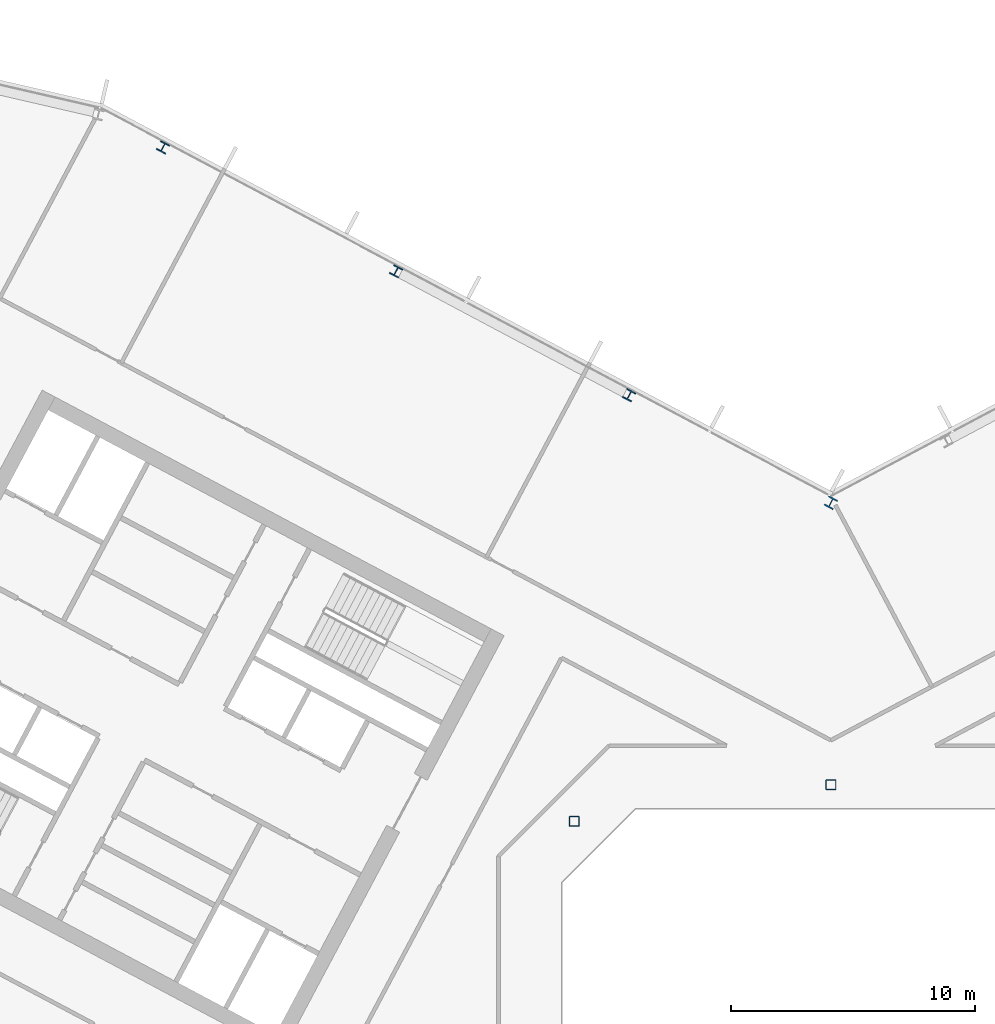
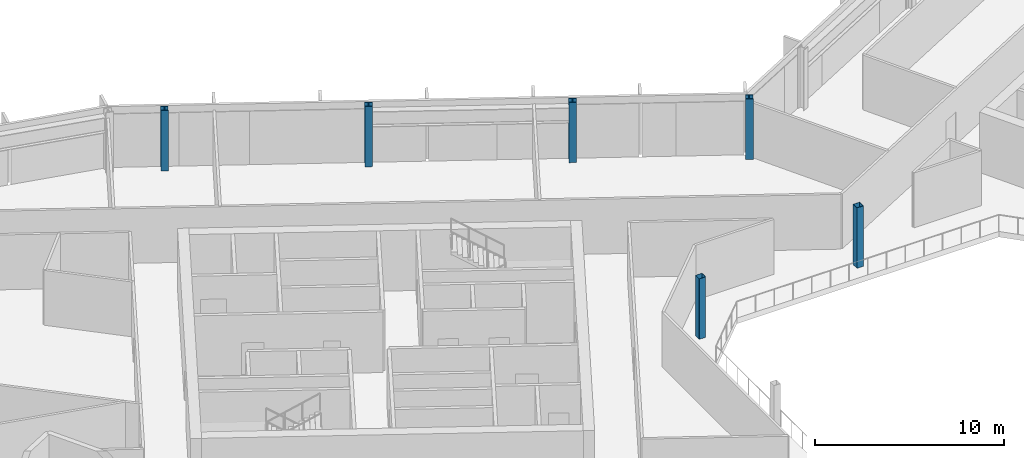
# One storey, part 4 of 27: 6 columns.
"""IFC4 building model written with IfcOpenShell, lengths in metres."""

from ifc_helpers import new_model, si_unit, direction, frame, origin, origin_2d, place, context, subcontext, project, spatial, hollow_rectangle, i_section, extrude, material, material_profile, profile_set, type_object, element, save


model = new_model("IFC4")

# Units and contexts
model_context = context("Model", 3, precision=1e-05, world=origin(), true_north=direction((0.0, 1.0)))
body_context = subcontext(model_context, "Body", "Model", "MODEL_VIEW")
ifc_project = project(units=[si_unit("LENGTHUNIT", "METRE"), si_unit("AREAUNIT", "SQUARE_METRE"), si_unit("VOLUMEUNIT", "CUBIC_METRE"), si_unit("PLANEANGLEUNIT", "RADIAN"), si_unit("MASSUNIT", "GRAM", prefix="KILO")], contexts=[model_context])

# Site, building, storey
site_placement = place(None, origin())
site = spatial("IfcSite", under=ifc_project, at=site_placement, CompositionType="ELEMENT")
building_placement = place(site_placement, origin())
building = spatial("IfcBuilding", under=site, at=building_placement, Name="Cormorant Relay Tower", CompositionType="ELEMENT")
storey_placement = place(building_placement, frame((0.0, 0.0, 232.5)))
storey = spatial("IfcBuildingStorey", under=building, at=storey_placement, Name="L51", CompositionType="ELEMENT", Elevation=232.5)

# Columns
ifc_material_1 = material(Name="Steel ASTM A500 Grade C (Fy 345 MPa)", Category="steel")
ifc_material_profile_1 = material_profile(ifc_material_1, hollow_rectangle(XDim=0.406494140625, YDim=0.406494140625, WallThickness=0.0146484375, InnerFilletRadius=0.00732421875, OuterFilletRadius=0.022216796875, at=origin_2d()), Name="HSS406x406x15")
ifc_profile_set_1 = profile_set([ifc_material_profile_1], Name="Steel ASTM A500 Grade C (Fy 345 MPa)")
column_type_1 = type_object("IfcColumnType", Name="Column HSS406x406x15", PredefinedType="COLUMN", material=ifc_profile_set_1)
for number, where, z_axis, x_axis, name in (
    (1, (-10.5, 10.5, 0.0), (0.0, 0.0, 1.0), (1.0, 0.0, 0.0), "Column L51-023"),
    (2, (0.0, 12.0, 0.0), (0.0, 0.0, 1.0), (1.0, 0.0, 0.0), "Column L51-025"),
):
    element("IfcColumn", number, at=place(storey_placement, frame(where, z_axis=z_axis, x_axis=x_axis)), inside=storey, type_object=column_type_1, Name=name, PredefinedType="COLUMN", context=body_context, shape_type="SweptSolid", body=[
        extrude(hollow_rectangle(XDim=0.406494140625, YDim=0.406494140625, WallThickness=0.0146484375, InnerFilletRadius=0.00732421875, OuterFilletRadius=0.022216796875, at=origin_2d()), origin(), (0.0, 0.0, 1.0), 3.89990234375),
    ])
ifc_material_2 = material(Name="Steel ASTM A992 (Fy 345 MPa)", Category="steel")
ifc_material_profile_2 = material_profile(ifc_material_2, i_section(OverallWidth=0.40380859375, OverallDepth=0.406494140625, WebThickness=0.027099609375, FlangeThickness=0.043701171875, FilletRadius=0.01513671875, at=origin_2d()), Name="W360x347")
ifc_profile_set_2 = profile_set([ifc_material_profile_2], Name="Steel ASTM A992 (Fy 345 MPa)")
column_type_2 = type_object("IfcColumnType", Name="Column W360x347", PredefinedType="COLUMN", material=ifc_profile_set_2)
for number, where, z_axis, x_axis, name in (
    (3, (-8.251953125, 27.93408203125, 0.0), (0.0, 0.0, 1.0), (-0.882947592859, 0.469471562786, 0.0), "Column L51-033"),
    (4, (-17.7880859375, 33.00390625, 0.0), (0.0, 0.0, 1.0), (-0.882947592859, 0.469471562786, 0.0), "Column L51-037"),
    (5, (-27.322998046875, 38.073974609375, 0.0), (0.0, 0.0, 1.0), (-0.882947592859, 0.469471562786, 0.0), "Column L51-040"),
):
    element("IfcColumn", number, at=place(storey_placement, frame(where, z_axis=z_axis, x_axis=x_axis)), inside=storey, type_object=column_type_2, Name=name, PredefinedType="COLUMN", context=body_context, shape_type="SweptSolid", body=[
        extrude(i_section(OverallWidth=0.40380859375, OverallDepth=0.406494140625, WebThickness=0.027099609375, FlangeThickness=0.043701171875, FilletRadius=0.01513671875, at=origin_2d()), origin(), (0.0, 0.0, 1.0), 3.89990234375),
    ])
ifc_material_3 = material(Name="Steel ASTM A992 (Fy 345 MPa)", Category="steel")
ifc_material_profile_3 = material_profile(ifc_material_3, i_section(OverallWidth=0.41162109375, OverallDepth=0.434326171875, WebThickness=0.035888671875, FlangeThickness=0.057373046875, FilletRadius=0.01513671875, at=origin_2d()), Name="W360x463")
ifc_profile_set_3 = profile_set([ifc_material_profile_3], Name="Steel ASTM A992 (Fy 345 MPa)")
column_type_3 = type_object("IfcColumnType", Name="Column W360x463", PredefinedType="COLUMN", material=ifc_profile_set_3)
column_placement = place(storey_placement, frame((0.0, 23.533935546875, 0.0), z_axis=(0.0, 0.0, 1.0), x_axis=(-0.882947592859, 0.469471562786, 0.0)))
element("IfcColumn", 6, at=column_placement, inside=storey, type_object=column_type_3, Name="Column L51-030", PredefinedType="COLUMN", context=body_context, shape_type="SweptSolid", body=[
    extrude(i_section(OverallWidth=0.41162109375, OverallDepth=0.434326171875, WebThickness=0.035888671875, FlangeThickness=0.057373046875, FilletRadius=0.01513671875, at=origin_2d()), origin(), (0.0, 0.0, 1.0), 3.89990234375),
])

save(model, "model.ifc")
